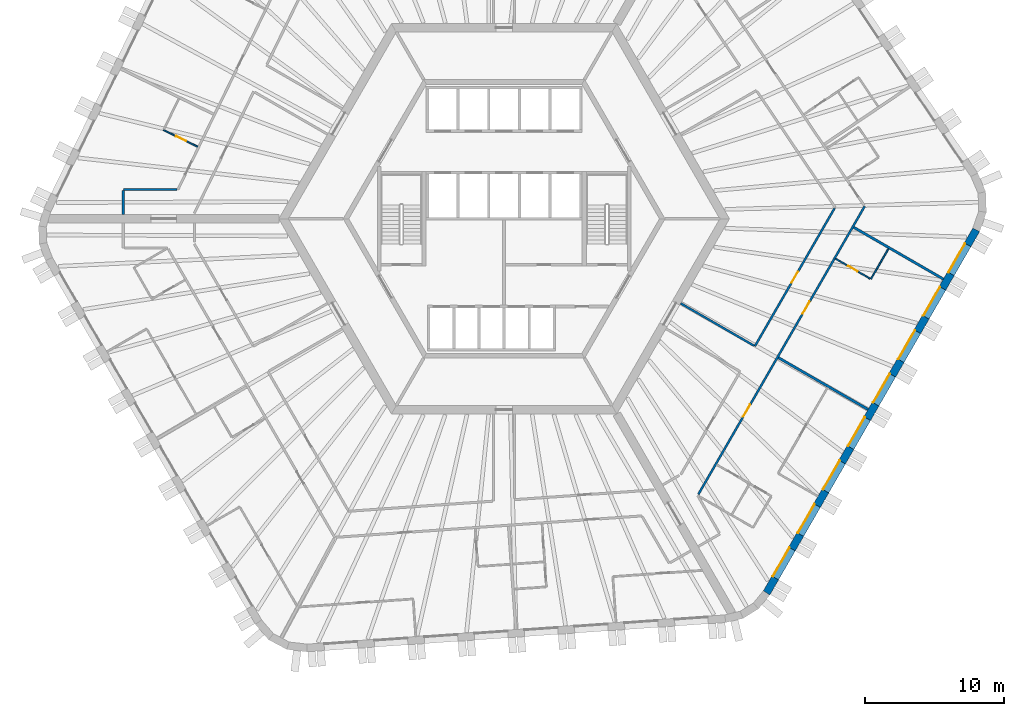
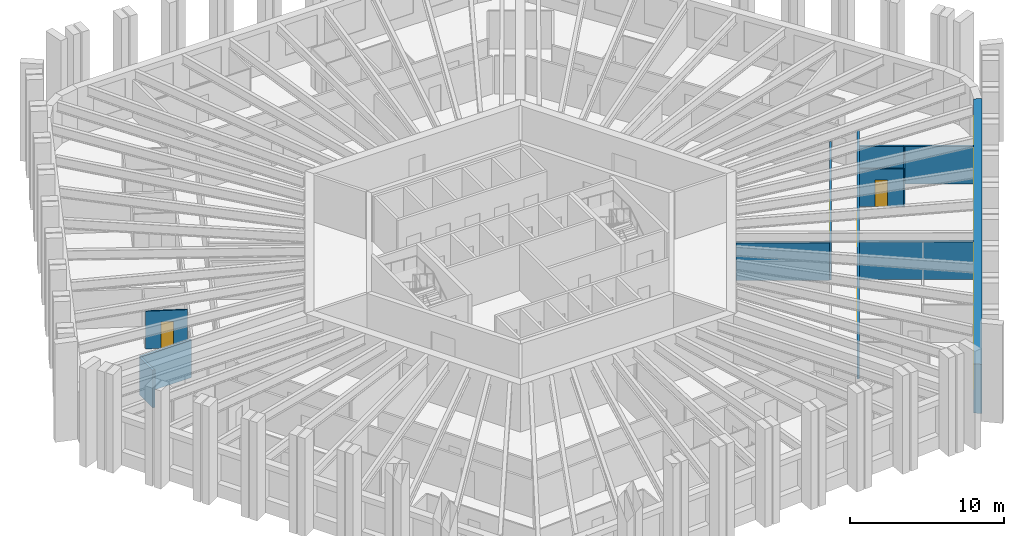
# One storey, part 6 of 12: 11 walls, 8 windows, 5 doors, 13 openings.
"""IFC4 building model written with IfcOpenShell, lengths in metres."""

from ifc_helpers import new_model, si_unit, direction, frame, frame_2d, origin, place, context, subcontext, project, spatial, polyline, rectangle, outline, extrude, material, layer, layer_set, type_object, element, fill, save


model = new_model("IFC4")

# Units and contexts
model_context = context("Model", 3, precision=1e-05, world=origin(), true_north=direction((0.0, 1.0)))
body_context = subcontext(model_context, "Body", "Model", "MODEL_VIEW")
ifc_project = project(units=[si_unit("LENGTHUNIT", "METRE"), si_unit("AREAUNIT", "SQUARE_METRE"), si_unit("VOLUMEUNIT", "CUBIC_METRE"), si_unit("PLANEANGLEUNIT", "RADIAN"), si_unit("MASSUNIT", "GRAM", prefix="KILO")], contexts=[model_context])

# Site, building, storey
site_placement = place(None, origin())
site = spatial("IfcSite", under=ifc_project, at=site_placement, CompositionType="ELEMENT")
building_placement = place(site_placement, origin())
building = spatial("IfcBuilding", under=site, at=building_placement, Name="Tarnside Tower", CompositionType="ELEMENT")
storey_placement = place(building_placement, frame((0.0, 0.0, 60.89990234375)))
storey = spatial("IfcBuildingStorey", under=building, at=storey_placement, Name="L12", CompositionType="ELEMENT", Elevation=60.89990234375)

# Wall, opening, door
ifc_material_1 = material(Name="Gypsum board partition on steel studs", Category="steel")
ifc_layer_1 = layer(ifc_material_1, 0.10009765625)
ifc_layer_set_1 = layer_set([ifc_layer_1], Name="Bathroom wall 100")
wall_type_1 = type_object("IfcWallType", Name="Bathroom wall 100", PredefinedType="PARTITIONING", material=ifc_layer_set_1)
wall_1_placement = place(storey_placement, frame((-21.98291015625, 5.171142578125, 0.0), z_axis=(0.0, 0.0, 1.0), x_axis=(-0.898791692788, 0.43837597217, 0.0)))
wall_1 = element("IfcWall", 1, at=wall_1_placement, inside=storey, type_object=wall_type_1, Name="Bathroom wall 03095", PredefinedType="PARTITIONING", context=body_context, shape_type="SweptSolid", body=[
    extrude(rectangle(XDim=2.72509765625, YDim=0.10009765625, at=frame_2d((1.362548828125, 0.0))), origin(), (0.0, 0.0, 1.0), 2.98779296875),
])
opening_1_placement = place(wall_1_placement, frame((0.925048828125, 0.0, 0.0)))
opening_1 = element("IfcOpeningElement", 2, at=opening_1_placement, cuts=wall_1, Name="Opening D-B1", PredefinedType="OPENING", context=body_context, shape_type="SweptSolid", body=[
    extrude(rectangle(XDim=0.800048828125, YDim=2.10009765625, at=frame_2d((0.39990234375, 1.050048828125))), frame((0.0, 0.06005859375, 0.0), z_axis=(0.0, -1.0, 0.0), x_axis=(1.0, 0.0, 0.0)), (0.0, 0.0, 1.0), 0.1201171875),
])
ifc_material_2 = material(Name="Timber door leaf", Category="wood")
door_type_1 = type_object("IfcDoorType", Name="Bathroom door 800", OperationType="NOTDEFINED", PredefinedType="DOOR", material=ifc_material_2)
door_1_placement = place(opening_1_placement, origin())
door_1 = element("IfcDoor", 3, at=door_1_placement, inside=storey, type_object=door_type_1, Name="Bathroom door 03012", OperationType="SINGLE_SWING_RIGHT", OverallHeight=2.10009765625, OverallWidth=0.800048828125, PredefinedType="DOOR", context=body_context, shape_type="SweptSolid", body=[
    extrude(rectangle(XDim=0.800048828125, YDim=2.10009765625, at=frame_2d((0.39990234375, 1.050048828125))), frame((0.0, 0.02490234375, 0.0), z_axis=(0.0, -1.0, 0.0), x_axis=(1.0, 0.0, 0.0)), (0.0, 0.0, 1.0), 0.050048828125),
])
fill(opening_1, door_1)

# Wall
wall_2_placement = place(storey_placement, frame((27.56787109375, -2.151123046875, 0.0), z_axis=(0.0, 0.0, 1.0), x_axis=(-0.499989096993, -0.866031698547, 0.0)))
element("IfcWall", 4, at=wall_2_placement, inside=storey, type_object=wall_type_1, Name="Bathroom wall 03134", PredefinedType="PARTITIONING", context=body_context, shape_type="SweptSolid", body=[
    extrude(rectangle(XDim=2.509765625, YDim=0.10009765625, at=frame_2d((1.2548828125, 0.0))), origin(), (0.0, 0.0, 1.0), 2.98779296875),
])

# Wall, opening, door
wall_3_placement = place(storey_placement, frame((26.26953125, -4.2998046875, 0.0), z_axis=(0.0, 0.0, 1.0), x_axis=(-0.866018712932, 0.500011588718, 0.0)))
wall_3 = element("IfcWall", 5, at=wall_3_placement, inside=storey, type_object=wall_type_1, Name="Bathroom wall 03135", PredefinedType="PARTITIONING", context=body_context, shape_type="SweptSolid", body=[
    extrude(rectangle(XDim=2.875, YDim=0.10009765625, at=frame_2d((1.4375, 0.0))), origin(), (0.0, 0.0, 1.0), 2.98779296875),
])
opening_2_placement = place(wall_3_placement, frame((1.050048828125, 0.0, 0.0)))
opening_2 = element("IfcOpeningElement", 6, at=opening_2_placement, cuts=wall_3, Name="Opening D-B1", PredefinedType="OPENING", context=body_context, shape_type="SweptSolid", body=[
    extrude(rectangle(XDim=0.800048828125, YDim=2.10009765625, at=frame_2d((0.39990234375, 1.050048828125))), frame((0.0, 0.06005859375, 0.0), z_axis=(0.0, -1.0, 0.0), x_axis=(1.0, 0.0, 0.0)), (0.0, 0.0, 1.0), 0.1201171875),
])
door_2_placement = place(opening_2_placement, origin())
door_2 = element("IfcDoor", 7, at=door_2_placement, inside=storey, type_object=door_type_1, Name="Bathroom door 03031", OperationType="SINGLE_SWING_LEFT", OverallHeight=2.10009765625, OverallWidth=0.800048828125, PredefinedType="DOOR", context=body_context, shape_type="SweptSolid", body=[
    extrude(rectangle(XDim=0.800048828125, YDim=2.10009765625, at=frame_2d((0.39990234375, 1.050048828125))), frame((0.0, 0.02490234375, 0.0), z_axis=(0.0, -1.0, 0.0), x_axis=(1.0, 0.0, 0.0)), (0.0, 0.0, 1.0), 0.050048828125),
])
fill(opening_2, door_2)

# Walls
ifc_layer_2 = layer(ifc_material_1, 0.14990234375)
ifc_layer_set_2 = layer_set([ifc_layer_2], Name="Corridor wall 150 EI 60")
wall_type_2 = type_object("IfcWallType", Name="Corridor wall 150 EI 60", PredefinedType="PARTITIONING", material=ifc_layer_set_2)
wall_4_placement = place(storey_placement, frame((-23.480712890625, 2.10009765625, 0.0), z_axis=(0.0, 0.0, 1.0), x_axis=(-1.0, 0.0, 0.0)))
element("IfcWall", 8, at=wall_4_placement, inside=storey, type_object=wall_type_2, Name="Corridor wall 03014", PredefinedType="PARTITIONING", context=body_context, shape_type="SweptSolid", body=[
    extrude(rectangle(XDim=3.839599609375, YDim=0.14990234375, at=frame_2d((1.919921875, 0.0))), origin(), (0.0, 0.0, 1.0), 2.98779296875),
])
wall_5_placement = place(storey_placement, frame((-27.3203125, 2.02490234375, 0.0), z_axis=(0.0, 0.0, 1.0), x_axis=(0.0, -1.0, 0.0)))
element("IfcWall", 9, at=wall_5_placement, inside=storey, type_object=wall_type_2, Name="Corridor wall 03015", PredefinedType="PARTITIONING", context=body_context, shape_type="SweptSolid", body=[
    extrude(rectangle(XDim=1.724853515625, YDim=0.14990234375, at=frame_2d((0.8623046875, 0.0))), origin(), (0.0, 0.0, 1.0), 2.98779296875),
])

# Wall, openings, doors
wall_6_placement = place(storey_placement, frame((13.928466796875, -19.77490234375, 0.0), z_axis=(0.0, 0.0, 1.0), x_axis=(0.50000450071, 0.866022805283, 0.0)))
wall_6 = element("IfcWall", 10, at=wall_6_placement, inside=storey, type_object=wall_type_2, Name="Corridor wall 03049", PredefinedType="PARTITIONING", context=body_context, shape_type="SweptSolid", body=[
    extrude(rectangle(XDim=23.877197265625, YDim=0.14990234375, at=frame_2d((11.9384765625, 0.0))), origin(), (0.0, 0.0, 1.0), 2.98779296875),
])
opening_3_placement = place(wall_6_placement, frame((6.44287109375, 0.0, 0.0)))
opening_3 = element("IfcOpeningElement", 11, at=opening_3_placement, cuts=wall_6, Name="Opening D-E1", PredefinedType="OPENING", context=body_context, shape_type="SweptSolid", body=[
    extrude(rectangle(XDim=1.0, YDim=2.10009765625, at=frame_2d((0.5, 1.050048828125))), frame((0.0, 0.0849609375, 0.0), z_axis=(0.0, -1.0, 0.0), x_axis=(1.0, 0.0, 0.0)), (0.0, 0.0, 1.0), 0.169921875),
])
opening_4_placement = place(wall_6_placement, frame((14.972412109375, 0.0, 0.0)))
opening_4 = element("IfcOpeningElement", 12, at=opening_4_placement, cuts=wall_6, Name="Opening D-E1", PredefinedType="OPENING", context=body_context, shape_type="SweptSolid", body=[
    extrude(rectangle(XDim=1.0, YDim=2.10009765625, at=frame_2d((0.5, 1.050048828125))), frame((0.0, 0.0849609375, 0.0), z_axis=(0.0, -1.0, 0.0), x_axis=(1.0, 0.0, 0.0)), (0.0, 0.0, 1.0), 0.169921875),
])
door_type_2 = type_object("IfcDoorType", Name="Unit entrance door 1000 FD30S", OperationType="NOTDEFINED", PredefinedType="DOOR", material=ifc_material_2)
door_3_placement = place(opening_3_placement, origin())
door_3 = element("IfcDoor", 13, at=door_3_placement, inside=storey, type_object=door_type_2, Name="Unit door 03026", OperationType="SINGLE_SWING_RIGHT", OverallHeight=2.10009765625, OverallWidth=1.0, PredefinedType="DOOR", context=body_context, shape_type="SweptSolid", body=[
    extrude(rectangle(XDim=1.0, YDim=2.10009765625, at=frame_2d((0.5, 1.050048828125))), frame((0.0, 0.02490234375, 0.0), z_axis=(0.0, -1.0, 0.0), x_axis=(1.0, 0.0, 0.0)), (0.0, 0.0, 1.0), 0.050048828125),
])
fill(opening_3, door_3)
door_4_placement = place(opening_4_placement, origin())
door_4 = element("IfcDoor", 14, at=door_4_placement, inside=storey, type_object=door_type_2, Name="Unit door 03030", OperationType="SINGLE_SWING_LEFT", OverallHeight=2.10009765625, OverallWidth=1.0, PredefinedType="DOOR", context=body_context, shape_type="SweptSolid", body=[
    extrude(rectangle(XDim=1.0, YDim=2.10009765625, at=frame_2d((0.5, 1.050048828125))), frame((0.0, 0.02490234375, 0.0), z_axis=(0.0, -1.0, 0.0), x_axis=(1.0, 0.0, 0.0)), (0.0, 0.0, 1.0), 0.050048828125),
])
fill(opening_4, door_4)

# Wall, opening, door
wall_7_placement = place(storey_placement, frame((23.704345703125, 0.757080078125, 0.0), z_axis=(0.0, 0.0, 1.0), x_axis=(-0.500010297365, -0.866019458516, 0.0)))
wall_7 = element("IfcWall", 15, at=wall_7_placement, inside=storey, type_object=wall_type_2, Name="Corridor wall 03065", PredefinedType="PARTITIONING", context=body_context, shape_type="SweptSolid", body=[
    extrude(rectangle(XDim=11.428955078125, YDim=0.14990234375, at=frame_2d((5.71435546875, 0.0))), origin(), (0.0, 0.0, 1.0), 2.98779296875),
])
opening_5_placement = place(wall_7_placement, frame((5.264404296875, 0.0, 0.0)))
opening_5 = element("IfcOpeningElement", 16, at=opening_5_placement, cuts=wall_7, Name="Opening D-S1", PredefinedType="OPENING", context=body_context, shape_type="SweptSolid", body=[
    extrude(rectangle(XDim=0.89990234375, YDim=2.10009765625, at=frame_2d((0.449951171875, 1.050048828125))), frame((0.0, 0.0849609375, 0.0), z_axis=(0.0, -1.0, 0.0), x_axis=(1.0, 0.0, 0.0)), (0.0, 0.0, 1.0), 0.169921875),
])
door_type_3 = type_object("IfcDoorType", Name="Service room door 900 FD30S", OperationType="NOTDEFINED", PredefinedType="DOOR", material=ifc_material_2)
door_5_placement = place(opening_5_placement, origin())
door_5 = element("IfcDoor", 17, at=door_5_placement, inside=storey, type_object=door_type_3, Name="Service door 03045", OperationType="SINGLE_SWING_LEFT", OverallHeight=2.10009765625, OverallWidth=0.89990234375, PredefinedType="DOOR", context=body_context, shape_type="SweptSolid", body=[
    extrude(rectangle(XDim=0.89990234375, YDim=2.10009765625, at=frame_2d((0.449951171875, 1.050048828125))), frame((0.0, 0.02490234375, 0.0), z_axis=(0.0, -1.0, 0.0), x_axis=(1.0, 0.0, 0.0)), (0.0, 0.0, 1.0), 0.050048828125),
])
fill(opening_5, door_5)

# Walls
wall_8_placement = place(storey_placement, frame((17.9248046875, -9.103271484375, 0.0), z_axis=(0.0, 0.0, 1.0), x_axis=(-0.866013586754, 0.500020467139, 0.0)))
element("IfcWall", 18, at=wall_8_placement, inside=storey, type_object=wall_type_2, Name="Corridor wall 03066", PredefinedType="PARTITIONING", context=body_context, shape_type="SweptSolid", body=[
    extrude(rectangle(XDim=6.074951171875, YDim=0.14990234375, at=frame_2d((3.03759765625, 0.0))), origin(), (0.0, 0.0, 1.0), 2.98779296875),
])
ifc_layer_3 = layer(ifc_material_1, 0.179931640625)
ifc_layer_set_3 = layer_set([ifc_layer_3], Name="Demising wall 180 EI 60")
wall_type_3 = type_object("IfcWallType", Name="Demising wall 180 EI 60", PredefinedType="PARTITIONING", material=ifc_layer_set_3)
wall_9_placement = place(storey_placement, frame((26.10986328125, -13.67626953125, 0.0), z_axis=(0.0, 0.0, 1.0), x_axis=(-0.866014745021, 0.500018461065, 0.0)))
element("IfcWall", 19, at=wall_9_placement, inside=storey, type_object=wall_type_3, Name="Demising wall 03131", PredefinedType="PARTITIONING", context=body_context, shape_type="SweptSolid", body=[
    extrude(rectangle(XDim=7.425048828125, YDim=0.179931640625, at=frame_2d((3.71240234375, 0.0))), origin(), (0.0, 0.0, 1.0), 2.98779296875),
])
wall_10_placement = place(storey_placement, frame((31.510009765625, -4.322998046875, 0.0), z_axis=(0.0, 0.0, 1.0), x_axis=(-0.866028983062, 0.499993800457, 0.0)))
element("IfcWall", 20, at=wall_10_placement, inside=storey, type_object=wall_type_3, Name="Demising wall 03136", PredefinedType="PARTITIONING", context=body_context, shape_type="SweptSolid", body=[
    extrude(rectangle(XDim=7.4248046875, YDim=0.179931640625, at=frame_2d((3.71240234375, 0.0))), origin(), (0.0, 0.0, 1.0), 2.98779296875),
])

# Wall, openings, windows
ifc_material_3 = material(Name="Facing brick", Category="masonry")
ifc_layer_4 = layer(ifc_material_3, 0.10205078125)
ifc_material_4 = material(Name="Concrete C60/75 precast", Category="concrete")
ifc_layer_5 = layer(ifc_material_4, 0.347900390625)
ifc_material_5 = material(Name="Mineral wool insulation")
ifc_layer_6 = layer(ifc_material_5, 0.10009765625)
ifc_layer_set_4 = layer_set([ifc_layer_4, ifc_layer_5, ifc_layer_6], Name="Tube wall 550 brick faced")
wall_type_4 = type_object("IfcWallType", Name="Tube wall 550 brick faced", PredefinedType="SOLIDWALL", material=ifc_layer_set_4)
wall_11_placement = place(storey_placement, frame((18.830322265625, -26.834716796875, -0.14990234375), z_axis=(0.0, 0.0, 1.0), x_axis=(0.500003800416, 0.866023209602, 0.0)))
wall_11 = element("IfcWall", 21, at=wall_11_placement, inside=storey, type_object=wall_type_4, Name="Tube wall L12 F5 flush 16", PredefinedType="SOLIDWALL", context=body_context, shape_type="SweptSolid", body=[
    extrude(outline(polyline([(-0.0224609375, -0.27490234375), (30.0966796875, -0.27490234375), (30.04541015625, 0.27490234375), (0.0224609375, 0.27490234375), (-0.0224609375, -0.27490234375)])), origin(), (0.0, 0.0, 1.0), 3.89990234375),
])
opening_6_placement = place(wall_11_placement, frame((1.235595703125, 0.0, 1.050048828125)))
opening_6 = element("IfcOpeningElement", 22, at=opening_6_placement, cuts=wall_11, Name="Opening WH", PredefinedType="OPENING", context=body_context, shape_type="SweptSolid", body=[
    extrude(rectangle(XDim=2.39990234375, YDim=2.39990234375, at=frame_2d((1.199951171875, 1.199951171875))), frame((0.0, 0.28515625, 0.0), z_axis=(0.0, -1.0, 0.0), x_axis=(1.0, 0.0, 0.0)), (0.0, 0.0, 1.0), 0.570068359375),
])
opening_7_placement = place(wall_11_placement, frame((4.83544921875, 0.0, 1.050048828125)))
opening_7 = element("IfcOpeningElement", 23, at=opening_7_placement, cuts=wall_11, Name="Opening WH", PredefinedType="OPENING", context=body_context, shape_type="SweptSolid", body=[
    extrude(rectangle(XDim=2.39990234375, YDim=2.39990234375, at=frame_2d((1.199951171875, 1.199951171875))), frame((0.0, 0.28515625, 0.0), z_axis=(0.0, -1.0, 0.0), x_axis=(1.0, 0.0, 0.0)), (0.0, 0.0, 1.0), 0.570068359375),
])
opening_8_placement = place(wall_11_placement, frame((8.435546875, 0.0, 1.050048828125)))
opening_8 = element("IfcOpeningElement", 24, at=opening_8_placement, cuts=wall_11, Name="Opening WH", PredefinedType="OPENING", context=body_context, shape_type="SweptSolid", body=[
    extrude(rectangle(XDim=2.39990234375, YDim=2.39990234375, at=frame_2d((1.199951171875, 1.199951171875))), frame((0.0, 0.28515625, 0.0), z_axis=(0.0, -1.0, 0.0), x_axis=(1.0, 0.0, 0.0)), (0.0, 0.0, 1.0), 0.570068359375),
])
opening_9_placement = place(wall_11_placement, frame((12.035400390625, 0.0, 1.050048828125)))
opening_9 = element("IfcOpeningElement", 25, at=opening_9_placement, cuts=wall_11, Name="Opening WH", PredefinedType="OPENING", context=body_context, shape_type="SweptSolid", body=[
    extrude(rectangle(XDim=2.39990234375, YDim=2.39990234375, at=frame_2d((1.199951171875, 1.199951171875))), frame((0.0, 0.28515625, 0.0), z_axis=(0.0, -1.0, 0.0), x_axis=(1.0, 0.0, 0.0)), (0.0, 0.0, 1.0), 0.570068359375),
])
opening_10_placement = place(wall_11_placement, frame((15.635498046875, 0.0, 1.050048828125)))
opening_10 = element("IfcOpeningElement", 26, at=opening_10_placement, cuts=wall_11, Name="Opening WH", PredefinedType="OPENING", context=body_context, shape_type="SweptSolid", body=[
    extrude(rectangle(XDim=2.39990234375, YDim=2.39990234375, at=frame_2d((1.199951171875, 1.199951171875))), frame((0.0, 0.28515625, 0.0), z_axis=(0.0, -1.0, 0.0), x_axis=(1.0, 0.0, 0.0)), (0.0, 0.0, 1.0), 0.570068359375),
])
opening_11_placement = place(wall_11_placement, frame((19.235595703125, 0.0, 1.050048828125)))
opening_11 = element("IfcOpeningElement", 27, at=opening_11_placement, cuts=wall_11, Name="Opening WH", PredefinedType="OPENING", context=body_context, shape_type="SweptSolid", body=[
    extrude(rectangle(XDim=2.39990234375, YDim=2.39990234375, at=frame_2d((1.199951171875, 1.199951171875))), frame((0.0, 0.28515625, 0.0), z_axis=(0.0, -1.0, 0.0), x_axis=(1.0, 0.0, 0.0)), (0.0, 0.0, 1.0), 0.570068359375),
])
opening_12_placement = place(wall_11_placement, frame((22.83544921875, 0.0, 1.050048828125)))
opening_12 = element("IfcOpeningElement", 28, at=opening_12_placement, cuts=wall_11, Name="Opening WH", PredefinedType="OPENING", context=body_context, shape_type="SweptSolid", body=[
    extrude(rectangle(XDim=2.39990234375, YDim=2.39990234375, at=frame_2d((1.199951171875, 1.199951171875))), frame((0.0, 0.28515625, 0.0), z_axis=(0.0, -1.0, 0.0), x_axis=(1.0, 0.0, 0.0)), (0.0, 0.0, 1.0), 0.570068359375),
])
opening_13_placement = place(wall_11_placement, frame((26.435546875, 0.0, 1.050048828125)))
opening_13 = element("IfcOpeningElement", 29, at=opening_13_placement, cuts=wall_11, Name="Opening WH", PredefinedType="OPENING", context=body_context, shape_type="SweptSolid", body=[
    extrude(rectangle(XDim=2.39990234375, YDim=2.39990234375, at=frame_2d((1.199951171875, 1.199951171875))), frame((0.0, 0.28515625, 0.0), z_axis=(0.0, -1.0, 0.0), x_axis=(1.0, 0.0, 0.0)), (0.0, 0.0, 1.0), 0.570068359375),
])
ifc_material_6 = material(Name="Aluminium-framed double glazing", Category="aluminium")
window_type = type_object("IfcWindowType", Name="Hotel window 2400 x 2400", PartitioningType="DOUBLE_PANEL_VERTICAL", PredefinedType="WINDOW", material=ifc_material_6)
window_1_placement = place(opening_6_placement, frame((0.0, 0.205078125, 0.0)))
window_1 = element("IfcWindow", 30, at=window_1_placement, inside=storey, type_object=window_type, Name="E.WN.L12.F5.00", OverallHeight=2.39990234375, OverallWidth=2.39990234375, PartitioningType="DOUBLE_PANEL_VERTICAL", PredefinedType="WINDOW", context=body_context, shape_type="SweptSolid", body=[
    extrude(rectangle(XDim=2.39990234375, YDim=2.39990234375, at=frame_2d((1.199951171875, 1.199951171875))), frame((0.0, 0.030029296875, 0.0), z_axis=(0.0, -1.0, 0.0), x_axis=(1.0, 0.0, 0.0)), (0.0, 0.0, 1.0), 0.06005859375),
])
fill(opening_6, window_1)
window_2_placement = place(opening_7_placement, frame((0.0, 0.205078125, 0.0)))
window_2 = element("IfcWindow", 31, at=window_2_placement, inside=storey, type_object=window_type, Name="E.WN.L12.F5.01", OverallHeight=2.39990234375, OverallWidth=2.39990234375, PartitioningType="DOUBLE_PANEL_VERTICAL", PredefinedType="WINDOW", context=body_context, shape_type="SweptSolid", body=[
    extrude(rectangle(XDim=2.39990234375, YDim=2.39990234375, at=frame_2d((1.199951171875, 1.199951171875))), frame((0.0, 0.030029296875, 0.0), z_axis=(0.0, -1.0, 0.0), x_axis=(1.0, 0.0, 0.0)), (0.0, 0.0, 1.0), 0.06005859375),
])
fill(opening_7, window_2)
window_3_placement = place(opening_8_placement, frame((0.0, 0.205078125, 0.0)))
window_3 = element("IfcWindow", 32, at=window_3_placement, inside=storey, type_object=window_type, Name="E.WN.L12.F5.02", OverallHeight=2.39990234375, OverallWidth=2.39990234375, PartitioningType="DOUBLE_PANEL_VERTICAL", PredefinedType="WINDOW", context=body_context, shape_type="SweptSolid", body=[
    extrude(rectangle(XDim=2.39990234375, YDim=2.39990234375, at=frame_2d((1.199951171875, 1.199951171875))), frame((0.0, 0.030029296875, 0.0), z_axis=(0.0, -1.0, 0.0), x_axis=(1.0, 0.0, 0.0)), (0.0, 0.0, 1.0), 0.06005859375),
])
fill(opening_8, window_3)
window_4_placement = place(opening_9_placement, frame((0.0, 0.205078125, 0.0)))
window_4 = element("IfcWindow", 33, at=window_4_placement, inside=storey, type_object=window_type, Name="E.WN.L12.F5.03", OverallHeight=2.39990234375, OverallWidth=2.39990234375, PartitioningType="DOUBLE_PANEL_VERTICAL", PredefinedType="WINDOW", context=body_context, shape_type="SweptSolid", body=[
    extrude(rectangle(XDim=2.39990234375, YDim=2.39990234375, at=frame_2d((1.199951171875, 1.199951171875))), frame((0.0, 0.030029296875, 0.0), z_axis=(0.0, -1.0, 0.0), x_axis=(1.0, 0.0, 0.0)), (0.0, 0.0, 1.0), 0.06005859375),
])
fill(opening_9, window_4)
window_5_placement = place(opening_10_placement, frame((0.0, 0.205078125, 0.0)))
window_5 = element("IfcWindow", 34, at=window_5_placement, inside=storey, type_object=window_type, Name="E.WN.L12.F5.04", OverallHeight=2.39990234375, OverallWidth=2.39990234375, PartitioningType="DOUBLE_PANEL_VERTICAL", PredefinedType="WINDOW", context=body_context, shape_type="SweptSolid", body=[
    extrude(rectangle(XDim=2.39990234375, YDim=2.39990234375, at=frame_2d((1.199951171875, 1.199951171875))), frame((0.0, 0.030029296875, 0.0), z_axis=(0.0, -1.0, 0.0), x_axis=(1.0, 0.0, 0.0)), (0.0, 0.0, 1.0), 0.06005859375),
])
fill(opening_10, window_5)
window_6_placement = place(opening_11_placement, frame((0.0, 0.205078125, 0.0)))
window_6 = element("IfcWindow", 35, at=window_6_placement, inside=storey, type_object=window_type, Name="E.WN.L12.F5.05", OverallHeight=2.39990234375, OverallWidth=2.39990234375, PartitioningType="DOUBLE_PANEL_VERTICAL", PredefinedType="WINDOW", context=body_context, shape_type="SweptSolid", body=[
    extrude(rectangle(XDim=2.39990234375, YDim=2.39990234375, at=frame_2d((1.199951171875, 1.199951171875))), frame((0.0, 0.030029296875, 0.0), z_axis=(0.0, -1.0, 0.0), x_axis=(1.0, 0.0, 0.0)), (0.0, 0.0, 1.0), 0.06005859375),
])
fill(opening_11, window_6)
window_7_placement = place(opening_12_placement, frame((0.0, 0.205078125, 0.0)))
window_7 = element("IfcWindow", 36, at=window_7_placement, inside=storey, type_object=window_type, Name="E.WN.L12.F5.06", OverallHeight=2.39990234375, OverallWidth=2.39990234375, PartitioningType="DOUBLE_PANEL_VERTICAL", PredefinedType="WINDOW", context=body_context, shape_type="SweptSolid", body=[
    extrude(rectangle(XDim=2.39990234375, YDim=2.39990234375, at=frame_2d((1.199951171875, 1.199951171875))), frame((0.0, 0.030029296875, 0.0), z_axis=(0.0, -1.0, 0.0), x_axis=(1.0, 0.0, 0.0)), (0.0, 0.0, 1.0), 0.06005859375),
])
fill(opening_12, window_7)
window_8_placement = place(opening_13_placement, frame((0.0, 0.205078125, 0.0)))
window_8 = element("IfcWindow", 37, at=window_8_placement, inside=storey, type_object=window_type, Name="E.WN.L12.F5.07", OverallHeight=2.39990234375, OverallWidth=2.39990234375, PartitioningType="DOUBLE_PANEL_VERTICAL", PredefinedType="WINDOW", context=body_context, shape_type="SweptSolid", body=[
    extrude(rectangle(XDim=2.39990234375, YDim=2.39990234375, at=frame_2d((1.199951171875, 1.199951171875))), frame((0.0, 0.030029296875, 0.0), z_axis=(0.0, -1.0, 0.0), x_axis=(1.0, 0.0, 0.0)), (0.0, 0.0, 1.0), 0.06005859375),
])
fill(opening_13, window_8)

save(model, "model.ifc")
